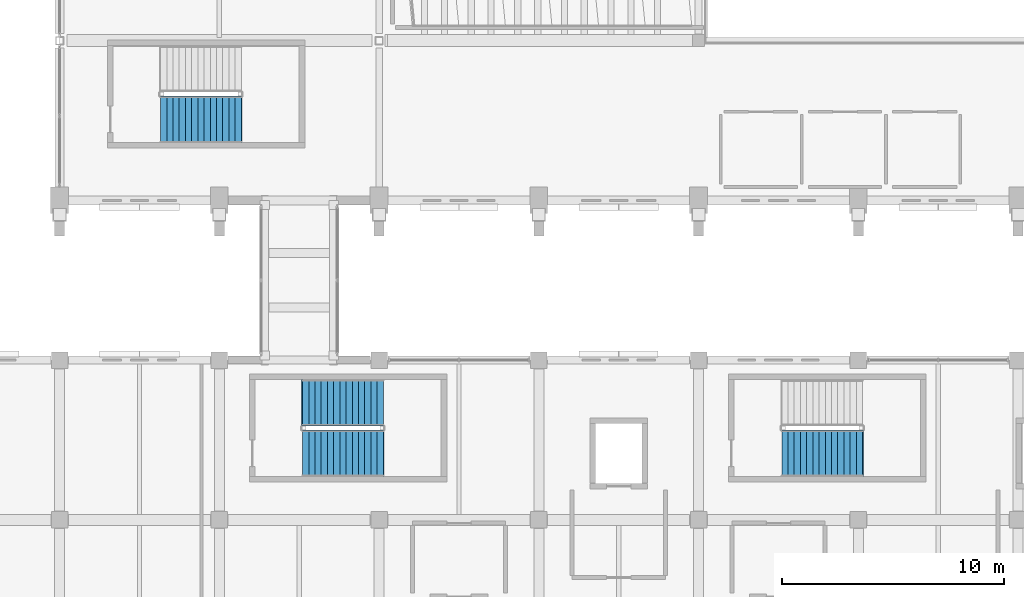
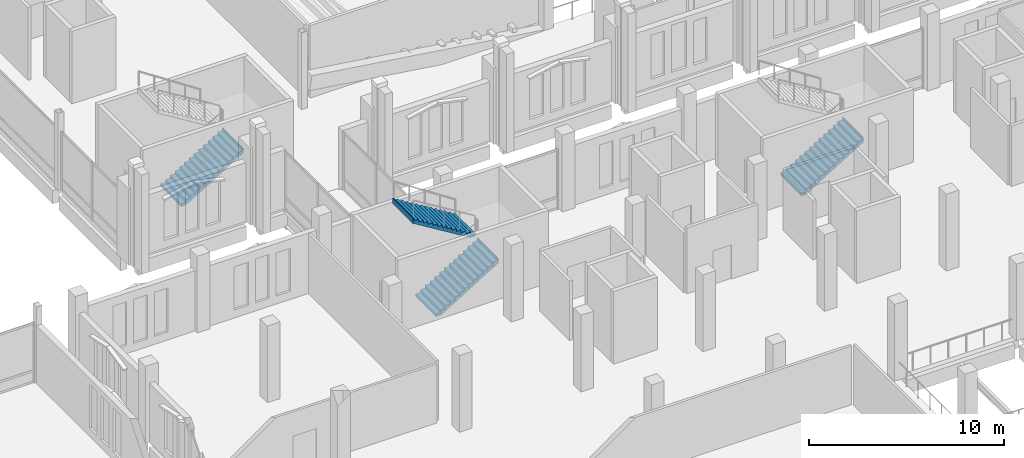
# One storey, part 166 of 193: 4 stair flights, 3 elements without a shape of their own.
"""IFC4 building model written with IfcOpenShell, lengths in metres."""

import ifcopenshell
import ifcopenshell.guid

model = None  # the IFC model being written
_history = None  # IfcOwnerHistory: only IFC2X3 demands one
_inside = {}  # id of a spatial element -> (the spatial element, [elements in it])
_under = {}  # id of a project, library or spatial element -> (it, [spatial elements below it])
_declared = {}  # id of a project -> (the project, [libraries it declares])
_typed = {}  # id of a type object -> (the type object, [elements of that type])
_made_of = {}  # id of a material, layer set ... -> (it, [elements and type objects made of it])


def new_model(schema):
    """Start an empty IFC model of exactly this schema.

    Asked for "IFC4X3", IfcOpenShell would pick the latest addendum, in which some entities
    have other attributes; the version numbers below select the first issue.
    IFC2X3 requires an IfcOwnerHistory on every rooted entity: one is made here for all.
    """
    global model, _history
    if schema == "IFC4X3":
        model = ifcopenshell.file(schema_version=(4, 3, 0, 0))
    else:
        model = ifcopenshell.file(schema=schema)
    _inside.clear()
    _under.clear()
    _declared.clear()
    _typed.clear()
    _made_of.clear()
    _history = None
    if model.schema == "IFC2X3":
        org = make("IfcOrganization", Name="unknown")
        user = make(
            "IfcPersonAndOrganization",
            ThePerson=make("IfcPerson", FamilyName="unknown"),
            TheOrganization=org,
        )
        app = make(
            "IfcApplication",
            ApplicationDeveloper=org,
            Version="unknown",
            ApplicationFullName="unknown",
            ApplicationIdentifier="unknown",
        )
        _history = make(
            "IfcOwnerHistory",
            OwningUser=user,
            OwningApplication=app,
            ChangeAction="ADDED",
            CreationDate=0,
        )
    return model


def make(cls, **values):
    """One entity of the class cls with the attributes given. An attribute that is None is left unset."""
    return model.create_entity(
        cls, **{name: value for name, value in values.items() if value is not None}
    )


def rooted(cls, **values):
    """An entity with a GlobalId (a new one), such as an element, a storey or a relation."""
    return make(cls, GlobalId=ifcopenshell.guid.new(), OwnerHistory=_history, **values)


def si_unit(unit_type, name, prefix=None):
    """IfcSIUnit, for example si_unit("LENGTHUNIT", "METRE", prefix="MILLI")."""
    return make("IfcSIUnit", UnitType=unit_type, Prefix=prefix, Name=name)


def assignment(units):
    """IfcUnitAssignment: the units of a project."""
    return None if units is None else make("IfcUnitAssignment", Units=units)


def point(xyz):
    """IfcCartesianPoint."""
    return None if xyz is None else make("IfcCartesianPoint", Coordinates=xyz)


def direction(xyz):
    """IfcDirection."""
    return None if xyz is None else make("IfcDirection", DirectionRatios=xyz)


def frame(location, z_axis=None, x_axis=None):
    """IfcAxis2Placement3D, a coordinate frame: its origin and axes. An axis left out is left unset."""
    return make(
        "IfcAxis2Placement3D",
        Location=point(location),
        Axis=direction(z_axis),
        RefDirection=direction(x_axis),
    )


def origin():
    """The frame at (0, 0, 0) with its axes left unset."""
    return frame((0.0, 0.0, 0.0))


def place(relative_to, where):
    """IfcLocalPlacement: puts the frame where relative to a parent placement (None: the world)."""
    return make(
        "IfcLocalPlacement", PlacementRelTo=relative_to, RelativePlacement=where
    )


def context(
    kind, dimensions, precision=None, world=None, true_north=None, identifier=None
):
    """IfcGeometricRepresentationContext, for example the 3D "Model" context."""
    return make(
        "IfcGeometricRepresentationContext",
        ContextIdentifier=identifier,
        ContextType=kind,
        CoordinateSpaceDimension=dimensions,
        Precision=precision,
        WorldCoordinateSystem=world,
        TrueNorth=true_north,
    )


def subcontext(parent, identifier, kind, view, scale=None):
    """IfcGeometricRepresentationSubContext, for example "Body" below "Model"."""
    return make(
        "IfcGeometricRepresentationSubContext",
        ContextIdentifier=identifier,
        ContextType=kind,
        ParentContext=parent,
        TargetScale=scale,
        TargetView=view,
    )


def project(units=None, contexts=None):
    """IfcProject with its units and contexts."""
    return rooted(
        "IfcProject",
        Name="project",
        RepresentationContexts=contexts,
        UnitsInContext=assignment(units),
    )


def spatial(cls, under=None, at=None, **own):
    """A site, building, storey or space (cls), placed at a placement, below another one or the project."""
    s = rooted(cls, ObjectPlacement=at, **own)
    if under is not None:
        _under.setdefault(under.id(), (under, []))[1].append(s)
    return s


def point_list(points):
    """IfcCartesianPointList2D or 3D."""
    cls = (
        "IfcCartesianPointList2D" if len(points[0]) == 2 else "IfcCartesianPointList3D"
    )
    return make(cls, CoordList=points)


def triangles(points, corners, closed=None, point_numbers=None):
    """IfcTriangulatedFaceSet: each triangle names its three corners, points numbered from 1."""
    return make(
        "IfcTriangulatedFaceSet",
        Coordinates=point_list(points),
        Closed=closed,
        CoordIndex=corners,
        PnIndex=point_numbers,
    )


def shape(context_of_items, identifier, shape_type, items):
    """IfcShapeRepresentation: the items that make up one representation, for example the "Body"."""
    return make(
        "IfcShapeRepresentation",
        ContextOfItems=context_of_items,
        RepresentationIdentifier=identifier,
        RepresentationType=shape_type,
        Items=items,
    )


def material(Name=None, Category=None):
    """IfcMaterial."""
    return make("IfcMaterial", Name=Name, Category=Category)


def made_of(thing, what):
    """Note that an element or type object is made of a material, layer set ...; save() writes the relation."""
    if what is not None:
        _made_of.setdefault(what.id(), (what, []))[1].append(thing)
    return thing


def type_object(cls, material=None, **own):
    """A type object (cls), such as IfcWallType, which elements share."""
    return made_of(rooted(cls, **own), material)


def element(
    cls,
    number,
    at=None,
    inside=None,
    cuts=None,
    type_object=None,
    material=None,
    context=None,
    identifier="Body",
    shape_type=None,
    held_by="IfcProductDefinitionShape",
    body=None,
    shapes=None,
    **own,
):
    """One element of the class cls, such as IfcWall. Its Tag is "e" and its number.

    at: its placement. inside: the storey or other place that contains it. cuts: it is an
    opening in that element (IfcRelVoidsElement). A single representation is given by context,
    identifier, shape_type and body (its items); several are given by shapes. held_by: the class
    of the entity that holds the representations. save() writes the other relations.
    """
    e = rooted(cls, Tag="e%d" % number, ObjectPlacement=at, **own)
    if body is not None:
        shapes = [shape(context, identifier, shape_type, body)]
    if shapes is not None:
        e.Representation = make(held_by, Representations=shapes)
    if inside is not None:
        _inside.setdefault(inside.id(), (inside, []))[1].append(e)
    if cuts is not None:
        rooted(
            "IfcRelVoidsElement", RelatingBuildingElement=cuts, RelatedOpeningElement=e
        )
    if type_object is not None:
        _typed.setdefault(type_object.id(), (type_object, []))[1].append(e)
    return made_of(e, material)


def aggregate(whole, parts):
    """IfcRelAggregates: a whole, such as a stair, and the parts it consists of."""
    return rooted("IfcRelAggregates", RelatingObject=whole, RelatedObjects=parts)


def save(model, path):
    """Write the relations noted so far, then the file.

    IfcRelAggregates (storeys below a building ...), IfcRelContainedInSpatialStructure (elements
    in a storey), IfcRelDefinesByType, IfcRelAssociatesMaterial and IfcRelDeclares: one each for
    every whole, place, type object, material and project.
    """
    for whole, parts in _under.values():
        aggregate(whole, parts)
    for where, things in _inside.values():
        rooted(
            "IfcRelContainedInSpatialStructure",
            RelatedElements=things,
            RelatingStructure=where,
        )
    for kind, things in _typed.values():
        rooted("IfcRelDefinesByType", RelatedObjects=things, RelatingType=kind)
    for what, things in _made_of.values():
        rooted("IfcRelAssociatesMaterial", RelatedObjects=things, RelatingMaterial=what)
    for by, libraries in _declared.values():
        rooted("IfcRelDeclares", RelatingContext=by, RelatedDefinitions=libraries)
    model.write(path)


model = new_model("IFC4")

# Units and contexts
model_context = context("Model", 3, precision=1e-05, world=origin(), true_north=direction((0.0, 1.0)))
body_context = subcontext(model_context, "Body", "Model", "MODEL_VIEW")
ifc_project = project(units=[si_unit("LENGTHUNIT", "METRE"), si_unit("AREAUNIT", "SQUARE_METRE"), si_unit("VOLUMEUNIT", "CUBIC_METRE"), si_unit("PLANEANGLEUNIT", "RADIAN"), si_unit("MASSUNIT", "GRAM", prefix="KILO")], contexts=[model_context])

# Site, building, storey
site_placement = place(None, origin())
site = spatial("IfcSite", under=ifc_project, at=site_placement, CompositionType="ELEMENT")
building_placement = place(site_placement, origin())
building = spatial("IfcBuilding", under=site, at=building_placement, Name="Cendralis Lancet Convention Centre", CompositionType="ELEMENT")
storey_placement = place(building_placement, frame((0.0, 0.0, 10.199951171875)))
storey = spatial("IfcBuildingStorey", under=building, at=storey_placement, Name="L02", CompositionType="ELEMENT", Elevation=10.199951171875)

# Stair, stair flight
ifc_material = material(Name="Concrete G35 (C35/45)", Category="concrete")
stair_type = type_object("IfcStairType", Name="ARC-ST-CORE", PredefinedType="HALF_TURN_STAIR", material=ifc_material)
stair_1_placement = place(storey_placement, origin())
stair_1 = element("IfcStair", 1, at=stair_1_placement, inside=storey, type_object=stair_type, Name="L02 Protected Exit Stair ST-08", PredefinedType="HALF_TURN_STAIR")
stair_flight_type = type_object("IfcStairFlightType", Name="ARC-SF-CORE", PredefinedType="STRAIGHT", material=ifc_material)
stair_flight_1_placement = place(storey_placement, frame((143.75, 46.85009765625, 0.0), z_axis=(0.0, 0.0, 1.0), x_axis=(1.0, 0.0, 0.0)))
stair_flight_1 = element("IfcStairFlight", 2, at=stair_flight_1_placement, type_object=stair_flight_type, Name="ST-08 flight 1", NumberOfRisers=14, NumberOfTreads=13, PredefinedType="STRAIGHT", RiserHeight=0.171428571, TreadLength=0.28, context=body_context, shape_type="Tessellation", body=[
    triangles([(0.0, 0.0, 0.085714), (0.0, 1.050049, 0.0), (0.0, -1.050049, 0.0), (0.0, -1.050049, 0.171429), (0.0, 1.050049, 0.171429), (0.14, 0.0, 0.171429), (0.28, -1.050049, 0.171429), (0.28, 1.050049, 0.171429), (0.14, 0.0, 0.0), (0.28, -1.050049, 0.0), (0.28, 1.050049, 0.0), (0.28, 0.0, 0.257143), (0.28, -1.050049, 0.342857), (0.28, 1.050049, 0.342857), (0.283543, 0.0, 0.342857), (0.287085, -1.050049, 0.342857), (0.287085, 1.050049, 0.342857), (0.283543, 0.0, 0.0), (0.287085, -1.050049, 0.0), (0.287085, 1.050049, 0.0), (0.423543, 0.0, 0.342857), (0.56, -1.050049, 0.342857), (0.56, 1.050049, 0.342857), (0.423543, 0.0, 0.083545), (0.56, -1.050049, 0.167091), (0.56, 1.050049, 0.167091), (0.56, 0.0, 0.428572), (0.56, -1.050049, 0.514286), (0.56, 1.050049, 0.514286), (0.7, 0.0, 0.514286), (0.84, -1.050049, 0.514286), (0.84, 1.050049, 0.514286), (0.7, 0.0, 0.252806), (0.84, -1.050049, 0.33852), (0.84, 1.050049, 0.33852), (0.84, 0.0, 0.6), (0.84, -1.050049, 0.685714), (0.84, 1.050049, 0.685714), (0.98, 0.0, 0.685714), (1.12, -1.050049, 0.685714), (1.12, 1.050049, 0.685714), (0.98, 0.0, 0.424234), (1.12, -1.050049, 0.509948), (1.12, 1.050049, 0.509948), (1.12, 0.0, 0.771429), (1.12, -1.050049, 0.857143), (1.12, 1.050049, 0.857143), (1.26, 0.0, 0.857143), (1.4, -1.050049, 0.857143), (1.4, 1.050049, 0.857143), (1.26, 0.0, 0.595662), (1.4, -1.050049, 0.681377), (1.4, 1.050049, 0.681377), (1.4, 0.0, 0.942857), (1.4, -1.050049, 1.028571), (1.4, 1.050049, 1.028571), (1.54, 0.0, 1.028571), (1.68, -1.050049, 1.028571), (1.68, 1.050049, 1.028571), (1.54, 0.0, 0.767091), (1.68, -1.050049, 0.852805), (1.68, 1.050049, 0.852805), (1.68, 0.0, 1.114286), (1.68, -1.050049, 1.2), (1.68, 1.050049, 1.2), (1.82, 0.0, 1.2), (1.96, -1.050049, 1.2), (1.96, 1.050049, 1.2), (1.82, 0.0, 0.938519), (1.96, -1.050049, 1.024234), (1.96, 1.050049, 1.024234), (1.96, 0.0, 1.285715), (1.96, -1.050049, 1.371429), (1.96, 1.050049, 1.371429), (2.1, 0.0, 1.371429), (2.24, -1.050049, 1.371429), (2.24, 1.050049, 1.371429), (2.1, 0.0, 1.109948), (2.24, -1.050049, 1.195662), (2.24, 1.050049, 1.195662), (2.24, 0.0, 1.457143), (2.24, -1.050049, 1.542857), (2.24, 1.050049, 1.542857), (2.38, 0.0, 1.542857), (2.52, -1.050049, 1.542857), (2.52, 1.050049, 1.542857), (2.38, 0.0, 1.281376), (2.52, -1.050049, 1.367091), (2.52, 1.050049, 1.367091), (2.52, 0.0, 1.628572), (2.52, -1.050049, 1.714286), (2.52, 1.050049, 1.714286), (2.66, 0.0, 1.714286), (2.8, -1.050049, 1.714286), (2.8, 1.050049, 1.714286), (2.66, 0.0, 1.452806), (2.8, -1.050049, 1.53852), (2.8, 1.050049, 1.53852), (2.8, 0.0, 1.8), (2.8, -1.050049, 1.885714), (2.8, 1.050049, 1.885714), (2.94, 0.0, 1.885714), (3.08, -1.050049, 1.885714), (3.08, 1.050049, 1.885714), (2.94, 0.0, 1.624234), (3.08, -1.050049, 1.709948), (3.08, 1.050049, 1.709948), (3.08, 0.0, 1.971429), (3.08, -1.050049, 2.057143), (3.08, 1.050049, 2.057143), (3.22, 0.0, 2.057143), (3.36, -1.050049, 2.057143), (3.36, 1.050049, 2.057143), (3.22, 0.0, 1.795663), (3.36, -1.050049, 1.881377), (3.36, 1.050049, 1.881377), (3.36, 0.0, 2.142857), (3.36, -1.050049, 2.228571), (3.36, 1.050049, 2.228571), (3.5, 0.0, 2.228571), (3.64, -1.050049, 2.228571), (3.64, 1.050049, 2.228571), (3.5, 0.0, 1.967091), (3.64, -1.050049, 2.052805), (3.64, 1.050049, 2.052805), (3.64, 0.0, 2.314285), (3.64, -1.050049, 2.4), (3.64, 1.050049, 2.4), (3.66, 0.0, 2.4), (3.68, -1.050049, 2.4), (3.68, 1.050049, 2.4), (3.66, 0.0, 2.052805), (3.68, -1.050049, 2.052805), (3.68, 1.050049, 2.052805), (3.68, 0.0, 2.226403)], [[2, 3, 1], [3, 4, 1], [4, 5, 1], [5, 2, 1], [4, 7, 6], [7, 8, 6], [8, 5, 6], [5, 4, 6], [10, 3, 9], [3, 2, 9], [2, 11, 9], [11, 10, 9], [3, 10, 7], [3, 7, 4], [2, 8, 11], [2, 5, 8], [8, 7, 12], [7, 13, 12], [13, 14, 12], [14, 8, 12], [13, 16, 15], [16, 17, 15], [17, 14, 15], [14, 13, 15], [19, 10, 18], [10, 11, 18], [11, 20, 18], [20, 19, 18], [10, 19, 16], [10, 16, 7], [7, 16, 13], [11, 17, 20], [11, 8, 17], [8, 14, 17], [16, 22, 21], [22, 23, 21], [23, 17, 21], [17, 16, 21], [25, 19, 24], [19, 20, 24], [20, 26, 24], [26, 25, 24], [19, 25, 22], [19, 22, 16], [20, 23, 26], [20, 17, 23], [23, 22, 27], [22, 28, 27], [28, 29, 27], [29, 23, 27], [28, 31, 30], [31, 32, 30], [32, 29, 30], [29, 28, 30], [34, 25, 33], [25, 26, 33], [26, 35, 33], [35, 34, 33], [25, 34, 31], [25, 31, 22], [22, 31, 28], [26, 32, 35], [26, 23, 32], [23, 29, 32], [32, 31, 36], [31, 37, 36], [37, 38, 36], [38, 32, 36], [37, 40, 39], [40, 41, 39], [41, 38, 39], [38, 37, 39], [43, 34, 42], [34, 35, 42], [35, 44, 42], [44, 43, 42], [34, 43, 40], [34, 40, 31], [31, 40, 37], [35, 41, 44], [35, 32, 41], [32, 38, 41], [41, 40, 45], [40, 46, 45], [46, 47, 45], [47, 41, 45], [46, 49, 48], [49, 50, 48], [50, 47, 48], [47, 46, 48], [52, 43, 51], [43, 44, 51], [44, 53, 51], [53, 52, 51], [43, 52, 49], [43, 49, 40], [40, 49, 46], [44, 50, 53], [44, 41, 50], [41, 47, 50], [50, 49, 54], [49, 55, 54], [55, 56, 54], [56, 50, 54], [55, 58, 57], [58, 59, 57], [59, 56, 57], [56, 55, 57], [61, 52, 60], [52, 53, 60], [53, 62, 60], [62, 61, 60], [52, 61, 58], [52, 58, 49], [49, 58, 55], [53, 59, 62], [53, 50, 59], [50, 56, 59], [59, 58, 63], [58, 64, 63], [64, 65, 63], [65, 59, 63], [64, 67, 66], [67, 68, 66], [68, 65, 66], [65, 64, 66], [70, 61, 69], [61, 62, 69], [62, 71, 69], [71, 70, 69], [61, 70, 67], [61, 67, 58], [58, 67, 64], [62, 68, 71], [62, 59, 68], [59, 65, 68], [68, 67, 72], [67, 73, 72], [73, 74, 72], [74, 68, 72], [73, 76, 75], [76, 77, 75], [77, 74, 75], [74, 73, 75], [79, 70, 78], [70, 71, 78], [71, 80, 78], [80, 79, 78], [70, 79, 76], [70, 76, 67], [67, 76, 73], [71, 77, 80], [71, 68, 77], [68, 74, 77], [77, 76, 81], [76, 82, 81], [82, 83, 81], [83, 77, 81], [82, 85, 84], [85, 86, 84], [86, 83, 84], [83, 82, 84], [88, 79, 87], [79, 80, 87], [80, 89, 87], [89, 88, 87], [79, 88, 85], [79, 85, 76], [76, 85, 82], [80, 86, 89], [80, 77, 86], [77, 83, 86], [86, 85, 90], [85, 91, 90], [91, 92, 90], [92, 86, 90], [91, 94, 93], [94, 95, 93], [95, 92, 93], [92, 91, 93], [97, 88, 96], [88, 89, 96], [89, 98, 96], [98, 97, 96], [88, 97, 94], [88, 94, 85], [85, 94, 91], [89, 95, 98], [89, 86, 95], [86, 92, 95], [95, 94, 99], [94, 100, 99], [100, 101, 99], [101, 95, 99], [100, 103, 102], [103, 104, 102], [104, 101, 102], [101, 100, 102], [106, 97, 105], [97, 98, 105], [98, 107, 105], [107, 106, 105], [97, 106, 103], [97, 103, 94], [94, 103, 100], [98, 104, 107], [98, 95, 104], [95, 101, 104], [104, 103, 108], [103, 109, 108], [109, 110, 108], [110, 104, 108], [109, 112, 111], [112, 113, 111], [113, 110, 111], [110, 109, 111], [115, 106, 114], [106, 107, 114], [107, 116, 114], [116, 115, 114], [106, 115, 112], [106, 112, 103], [103, 112, 109], [107, 113, 116], [107, 104, 113], [104, 110, 113], [113, 112, 117], [112, 118, 117], [118, 119, 117], [119, 113, 117], [118, 121, 120], [121, 122, 120], [122, 119, 120], [119, 118, 120], [124, 115, 123], [115, 116, 123], [116, 125, 123], [125, 124, 123], [115, 124, 121], [115, 121, 112], [112, 121, 118], [116, 122, 125], [116, 113, 122], [113, 119, 122], [122, 121, 126], [121, 127, 126], [127, 128, 126], [128, 122, 126], [127, 130, 129], [130, 131, 129], [131, 128, 129], [128, 127, 129], [133, 124, 132], [124, 125, 132], [125, 134, 132], [134, 133, 132], [124, 133, 130], [124, 130, 121], [121, 130, 127], [125, 131, 134], [125, 122, 131], [122, 128, 131], [133, 134, 135], [134, 131, 135], [131, 130, 135], [130, 133, 135]], closed=True),
])
aggregate(stair_1, [stair_flight_1])

# Stair, stair flights
stair_2_placement = place(storey_placement, origin())
stair_2 = element("IfcStair", 3, at=stair_2_placement, inside=storey, type_object=stair_type, Name="L02 Protected Exit Stair ST-13", PredefinedType="HALF_TURN_STAIR")
stair_flight_2_placement = place(storey_placement, frame((150.14990234375, 31.800048828125, 0.0), z_axis=(0.0, 0.0, 1.0), x_axis=(1.0, 0.0, 0.0)))
stair_flight_2 = element("IfcStairFlight", 4, at=stair_flight_2_placement, type_object=stair_flight_type, Name="ST-13 flight 1", NumberOfRisers=14, NumberOfTreads=13, PredefinedType="STRAIGHT", RiserHeight=0.171428571, TreadLength=0.28, context=body_context, shape_type="Tessellation", body=[
    triangles([(0.0, 0.0, 0.085714), (0.0, 1.050049, 0.0), (0.0, -1.050049, 0.0), (0.0, -1.050049, 0.171429), (0.0, 1.050049, 0.171429), (0.14, 0.0, 0.171429), (0.28, -1.050049, 0.171429), (0.28, 1.050049, 0.171429), (0.14, 0.0, 0.0), (0.28, -1.050049, 0.0), (0.28, 1.050049, 0.0), (0.28, 0.0, 0.257143), (0.28, -1.050049, 0.342857), (0.28, 1.050049, 0.342857), (0.283543, 0.0, 0.342857), (0.287085, -1.050049, 0.342857), (0.287085, 1.050049, 0.342857), (0.283543, 0.0, 0.0), (0.287085, -1.050049, 0.0), (0.287085, 1.050049, 0.0), (0.423543, 0.0, 0.342857), (0.56, -1.050049, 0.342857), (0.56, 1.050049, 0.342857), (0.423543, 0.0, 0.083545), (0.56, -1.050049, 0.167091), (0.56, 1.050049, 0.167091), (0.56, 0.0, 0.428572), (0.56, -1.050049, 0.514286), (0.56, 1.050049, 0.514286), (0.7, 0.0, 0.514286), (0.84, -1.050049, 0.514286), (0.84, 1.050049, 0.514286), (0.7, 0.0, 0.252806), (0.84, -1.050049, 0.33852), (0.84, 1.050049, 0.33852), (0.84, 0.0, 0.6), (0.84, -1.050049, 0.685714), (0.84, 1.050049, 0.685714), (0.98, 0.0, 0.685714), (1.12, -1.050049, 0.685714), (1.12, 1.050049, 0.685714), (0.98, 0.0, 0.424234), (1.12, -1.050049, 0.509948), (1.12, 1.050049, 0.509948), (1.12, 0.0, 0.771429), (1.12, -1.050049, 0.857143), (1.12, 1.050049, 0.857143), (1.26, 0.0, 0.857143), (1.4, -1.050049, 0.857143), (1.4, 1.050049, 0.857143), (1.26, 0.0, 0.595662), (1.4, -1.050049, 0.681377), (1.4, 1.050049, 0.681377), (1.4, 0.0, 0.942857), (1.4, -1.050049, 1.028571), (1.4, 1.050049, 1.028571), (1.54, 0.0, 1.028571), (1.68, -1.050049, 1.028571), (1.68, 1.050049, 1.028571), (1.54, 0.0, 0.767091), (1.68, -1.050049, 0.852805), (1.68, 1.050049, 0.852805), (1.68, 0.0, 1.114286), (1.68, -1.050049, 1.2), (1.68, 1.050049, 1.2), (1.82, 0.0, 1.2), (1.96, -1.050049, 1.2), (1.96, 1.050049, 1.2), (1.82, 0.0, 0.938519), (1.96, -1.050049, 1.024234), (1.96, 1.050049, 1.024234), (1.96, 0.0, 1.285715), (1.96, -1.050049, 1.371429), (1.96, 1.050049, 1.371429), (2.1, 0.0, 1.371429), (2.24, -1.050049, 1.371429), (2.24, 1.050049, 1.371429), (2.1, 0.0, 1.109948), (2.24, -1.050049, 1.195662), (2.24, 1.050049, 1.195662), (2.24, 0.0, 1.457143), (2.24, -1.050049, 1.542857), (2.24, 1.050049, 1.542857), (2.38, 0.0, 1.542857), (2.52, -1.050049, 1.542857), (2.52, 1.050049, 1.542857), (2.38, 0.0, 1.281376), (2.52, -1.050049, 1.367091), (2.52, 1.050049, 1.367091), (2.52, 0.0, 1.628572), (2.52, -1.050049, 1.714286), (2.52, 1.050049, 1.714286), (2.66, 0.0, 1.714286), (2.8, -1.050049, 1.714286), (2.8, 1.050049, 1.714286), (2.66, 0.0, 1.452806), (2.8, -1.050049, 1.53852), (2.8, 1.050049, 1.53852), (2.8, 0.0, 1.8), (2.8, -1.050049, 1.885714), (2.8, 1.050049, 1.885714), (2.94, 0.0, 1.885714), (3.08, -1.050049, 1.885714), (3.08, 1.050049, 1.885714), (2.94, 0.0, 1.624234), (3.08, -1.050049, 1.709948), (3.08, 1.050049, 1.709948), (3.08, 0.0, 1.971429), (3.08, -1.050049, 2.057143), (3.08, 1.050049, 2.057143), (3.22, 0.0, 2.057143), (3.36, -1.050049, 2.057143), (3.36, 1.050049, 2.057143), (3.22, 0.0, 1.795663), (3.36, -1.050049, 1.881377), (3.36, 1.050049, 1.881377), (3.36, 0.0, 2.142857), (3.36, -1.050049, 2.228571), (3.36, 1.050049, 2.228571), (3.5, 0.0, 2.228571), (3.64, -1.050049, 2.228571), (3.64, 1.050049, 2.228571), (3.5, 0.0, 1.967091), (3.64, -1.050049, 2.052805), (3.64, 1.050049, 2.052805), (3.64, 0.0, 2.314285), (3.64, -1.050049, 2.4), (3.64, 1.050049, 2.4), (3.66, 0.0, 2.4), (3.68, -1.050049, 2.4), (3.68, 1.050049, 2.4), (3.66, 0.0, 2.052805), (3.68, -1.050049, 2.052805), (3.68, 1.050049, 2.052805), (3.68, 0.0, 2.226403)], [[2, 3, 1], [3, 4, 1], [4, 5, 1], [5, 2, 1], [4, 7, 6], [7, 8, 6], [8, 5, 6], [5, 4, 6], [10, 3, 9], [3, 2, 9], [2, 11, 9], [11, 10, 9], [3, 10, 7], [3, 7, 4], [2, 8, 11], [2, 5, 8], [8, 7, 12], [7, 13, 12], [13, 14, 12], [14, 8, 12], [13, 16, 15], [16, 17, 15], [17, 14, 15], [14, 13, 15], [19, 10, 18], [10, 11, 18], [11, 20, 18], [20, 19, 18], [10, 19, 16], [10, 16, 7], [7, 16, 13], [11, 17, 20], [11, 8, 17], [8, 14, 17], [16, 22, 21], [22, 23, 21], [23, 17, 21], [17, 16, 21], [25, 19, 24], [19, 20, 24], [20, 26, 24], [26, 25, 24], [19, 25, 22], [19, 22, 16], [20, 23, 26], [20, 17, 23], [23, 22, 27], [22, 28, 27], [28, 29, 27], [29, 23, 27], [28, 31, 30], [31, 32, 30], [32, 29, 30], [29, 28, 30], [34, 25, 33], [25, 26, 33], [26, 35, 33], [35, 34, 33], [25, 34, 31], [25, 31, 22], [22, 31, 28], [26, 32, 35], [26, 23, 32], [23, 29, 32], [32, 31, 36], [31, 37, 36], [37, 38, 36], [38, 32, 36], [37, 40, 39], [40, 41, 39], [41, 38, 39], [38, 37, 39], [43, 34, 42], [34, 35, 42], [35, 44, 42], [44, 43, 42], [34, 43, 40], [34, 40, 31], [31, 40, 37], [35, 41, 44], [35, 32, 41], [32, 38, 41], [41, 40, 45], [40, 46, 45], [46, 47, 45], [47, 41, 45], [46, 49, 48], [49, 50, 48], [50, 47, 48], [47, 46, 48], [52, 43, 51], [43, 44, 51], [44, 53, 51], [53, 52, 51], [43, 52, 49], [43, 49, 40], [40, 49, 46], [44, 50, 53], [44, 41, 50], [41, 47, 50], [50, 49, 54], [49, 55, 54], [55, 56, 54], [56, 50, 54], [55, 58, 57], [58, 59, 57], [59, 56, 57], [56, 55, 57], [61, 52, 60], [52, 53, 60], [53, 62, 60], [62, 61, 60], [52, 61, 58], [52, 58, 49], [49, 58, 55], [53, 59, 62], [53, 50, 59], [50, 56, 59], [59, 58, 63], [58, 64, 63], [64, 65, 63], [65, 59, 63], [64, 67, 66], [67, 68, 66], [68, 65, 66], [65, 64, 66], [70, 61, 69], [61, 62, 69], [62, 71, 69], [71, 70, 69], [61, 70, 67], [61, 67, 58], [58, 67, 64], [62, 68, 71], [62, 59, 68], [59, 65, 68], [68, 67, 72], [67, 73, 72], [73, 74, 72], [74, 68, 72], [73, 76, 75], [76, 77, 75], [77, 74, 75], [74, 73, 75], [79, 70, 78], [70, 71, 78], [71, 80, 78], [80, 79, 78], [70, 79, 76], [70, 76, 67], [67, 76, 73], [71, 77, 80], [71, 68, 77], [68, 74, 77], [77, 76, 81], [76, 82, 81], [82, 83, 81], [83, 77, 81], [82, 85, 84], [85, 86, 84], [86, 83, 84], [83, 82, 84], [88, 79, 87], [79, 80, 87], [80, 89, 87], [89, 88, 87], [79, 88, 85], [79, 85, 76], [76, 85, 82], [80, 86, 89], [80, 77, 86], [77, 83, 86], [86, 85, 90], [85, 91, 90], [91, 92, 90], [92, 86, 90], [91, 94, 93], [94, 95, 93], [95, 92, 93], [92, 91, 93], [97, 88, 96], [88, 89, 96], [89, 98, 96], [98, 97, 96], [88, 97, 94], [88, 94, 85], [85, 94, 91], [89, 95, 98], [89, 86, 95], [86, 92, 95], [95, 94, 99], [94, 100, 99], [100, 101, 99], [101, 95, 99], [100, 103, 102], [103, 104, 102], [104, 101, 102], [101, 100, 102], [106, 97, 105], [97, 98, 105], [98, 107, 105], [107, 106, 105], [97, 106, 103], [97, 103, 94], [94, 103, 100], [98, 104, 107], [98, 95, 104], [95, 101, 104], [104, 103, 108], [103, 109, 108], [109, 110, 108], [110, 104, 108], [109, 112, 111], [112, 113, 111], [113, 110, 111], [110, 109, 111], [115, 106, 114], [106, 107, 114], [107, 116, 114], [116, 115, 114], [106, 115, 112], [106, 112, 103], [103, 112, 109], [107, 113, 116], [107, 104, 113], [104, 110, 113], [113, 112, 117], [112, 118, 117], [118, 119, 117], [119, 113, 117], [118, 121, 120], [121, 122, 120], [122, 119, 120], [119, 118, 120], [124, 115, 123], [115, 116, 123], [116, 125, 123], [125, 124, 123], [115, 124, 121], [115, 121, 112], [112, 121, 118], [116, 122, 125], [116, 113, 122], [113, 119, 122], [122, 121, 126], [121, 127, 126], [127, 128, 126], [128, 122, 126], [127, 130, 129], [130, 131, 129], [131, 128, 129], [128, 127, 129], [133, 124, 132], [124, 125, 132], [125, 134, 132], [134, 133, 132], [124, 133, 130], [124, 130, 121], [121, 130, 127], [125, 131, 134], [125, 122, 131], [122, 128, 131], [133, 134, 135], [134, 131, 135], [131, 130, 135], [130, 133, 135]], closed=True),
])
stair_flight_3_placement = place(storey_placement, frame((153.7900390625, 34.080078125, 2.400146484375), z_axis=(0.0, 0.0, 1.0), x_axis=(-1.0, 0.0, 0.0)))
stair_flight_3 = element("IfcStairFlight", 5, at=stair_flight_3_placement, type_object=stair_flight_type, Name="ST-13 flight 2", NumberOfRisers=14, NumberOfTreads=13, PredefinedType="STRAIGHT", RiserHeight=0.171428571, TreadLength=0.28, context=body_context, shape_type="Tessellation", body=[
    triangles([(0.0, 0.0, 0.085714), (0.0, 1.050049, 0.0), (0.0, -1.050049, 0.0), (0.0, -1.050049, 0.171429), (0.0, 1.050049, 0.171429), (0.14, 0.0, 0.171429), (0.28, -1.050049, 0.171429), (0.28, 1.050049, 0.171429), (0.14, 0.0, 0.0), (0.28, -1.050049, 0.0), (0.28, 1.050049, 0.0), (0.28, 0.0, 0.257143), (0.28, -1.050049, 0.342857), (0.28, 1.050049, 0.342857), (0.283543, 0.0, 0.342857), (0.287085, -1.050049, 0.342857), (0.287085, 1.050049, 0.342857), (0.283543, 0.0, 0.0), (0.287085, -1.050049, 0.0), (0.287085, 1.050049, 0.0), (0.423543, 0.0, 0.342857), (0.56, -1.050049, 0.342857), (0.56, 1.050049, 0.342857), (0.423543, 0.0, 0.083545), (0.56, -1.050049, 0.167091), (0.56, 1.050049, 0.167091), (0.56, 0.0, 0.428572), (0.56, -1.050049, 0.514286), (0.56, 1.050049, 0.514286), (0.7, 0.0, 0.514286), (0.84, -1.050049, 0.514286), (0.84, 1.050049, 0.514286), (0.7, 0.0, 0.252806), (0.84, -1.050049, 0.33852), (0.84, 1.050049, 0.33852), (0.84, 0.0, 0.6), (0.84, -1.050049, 0.685714), (0.84, 1.050049, 0.685714), (0.98, 0.0, 0.685714), (1.12, -1.050049, 0.685714), (1.12, 1.050049, 0.685714), (0.98, 0.0, 0.424234), (1.12, -1.050049, 0.509948), (1.12, 1.050049, 0.509948), (1.12, 0.0, 0.771429), (1.12, -1.050049, 0.857143), (1.12, 1.050049, 0.857143), (1.26, 0.0, 0.857143), (1.4, -1.050049, 0.857143), (1.4, 1.050049, 0.857143), (1.26, 0.0, 0.595662), (1.4, -1.050049, 0.681377), (1.4, 1.050049, 0.681377), (1.4, 0.0, 0.942857), (1.4, -1.050049, 1.028571), (1.4, 1.050049, 1.028571), (1.54, 0.0, 1.028571), (1.68, -1.050049, 1.028571), (1.68, 1.050049, 1.028571), (1.54, 0.0, 0.767091), (1.68, -1.050049, 0.852805), (1.68, 1.050049, 0.852805), (1.68, 0.0, 1.114286), (1.68, -1.050049, 1.2), (1.68, 1.050049, 1.2), (1.82, 0.0, 1.2), (1.96, -1.050049, 1.2), (1.96, 1.050049, 1.2), (1.82, 0.0, 0.938519), (1.96, -1.050049, 1.024234), (1.96, 1.050049, 1.024234), (1.96, 0.0, 1.285715), (1.96, -1.050049, 1.371429), (1.96, 1.050049, 1.371429), (2.1, 0.0, 1.371429), (2.24, -1.050049, 1.371429), (2.24, 1.050049, 1.371429), (2.1, 0.0, 1.109948), (2.24, -1.050049, 1.195662), (2.24, 1.050049, 1.195662), (2.24, 0.0, 1.457143), (2.24, -1.050049, 1.542857), (2.24, 1.050049, 1.542857), (2.38, 0.0, 1.542857), (2.52, -1.050049, 1.542857), (2.52, 1.050049, 1.542857), (2.38, 0.0, 1.281376), (2.52, -1.050049, 1.367091), (2.52, 1.050049, 1.367091), (2.52, 0.0, 1.628572), (2.52, -1.050049, 1.714286), (2.52, 1.050049, 1.714286), (2.66, 0.0, 1.714286), (2.8, -1.050049, 1.714286), (2.8, 1.050049, 1.714286), (2.66, 0.0, 1.452806), (2.8, -1.050049, 1.53852), (2.8, 1.050049, 1.53852), (2.8, 0.0, 1.8), (2.8, -1.050049, 1.885714), (2.8, 1.050049, 1.885714), (2.94, 0.0, 1.885714), (3.08, -1.050049, 1.885714), (3.08, 1.050049, 1.885714), (2.94, 0.0, 1.624234), (3.08, -1.050049, 1.709948), (3.08, 1.050049, 1.709948), (3.08, 0.0, 1.971429), (3.08, -1.050049, 2.057143), (3.08, 1.050049, 2.057143), (3.22, 0.0, 2.057143), (3.36, -1.050049, 2.057143), (3.36, 1.050049, 2.057143), (3.22, 0.0, 1.795663), (3.36, -1.050049, 1.881377), (3.36, 1.050049, 1.881377), (3.36, 0.0, 2.142857), (3.36, -1.050049, 2.228571), (3.36, 1.050049, 2.228571), (3.5, 0.0, 2.228571), (3.64, -1.050049, 2.228571), (3.64, 1.050049, 2.228571), (3.5, 0.0, 1.967091), (3.64, -1.050049, 2.052805), (3.64, 1.050049, 2.052805), (3.64, 0.0, 2.314285), (3.64, -1.050049, 2.4), (3.64, 1.050049, 2.4), (3.66, 0.0, 2.4), (3.68, -1.050049, 2.4), (3.68, 1.050049, 2.4), (3.66, 0.0, 2.052805), (3.68, -1.050049, 2.052805), (3.68, 1.050049, 2.052805), (3.68, 0.0, 2.226403)], [[2, 3, 1], [3, 4, 1], [4, 5, 1], [5, 2, 1], [4, 7, 6], [7, 8, 6], [8, 5, 6], [5, 4, 6], [10, 3, 9], [3, 2, 9], [2, 11, 9], [11, 10, 9], [3, 10, 7], [3, 7, 4], [2, 8, 11], [2, 5, 8], [8, 7, 12], [7, 13, 12], [13, 14, 12], [14, 8, 12], [13, 16, 15], [16, 17, 15], [17, 14, 15], [14, 13, 15], [19, 10, 18], [10, 11, 18], [11, 20, 18], [20, 19, 18], [10, 19, 16], [10, 16, 7], [7, 16, 13], [11, 17, 20], [11, 8, 17], [8, 14, 17], [16, 22, 21], [22, 23, 21], [23, 17, 21], [17, 16, 21], [25, 19, 24], [19, 20, 24], [20, 26, 24], [26, 25, 24], [19, 25, 22], [19, 22, 16], [20, 23, 26], [20, 17, 23], [23, 22, 27], [22, 28, 27], [28, 29, 27], [29, 23, 27], [28, 31, 30], [31, 32, 30], [32, 29, 30], [29, 28, 30], [34, 25, 33], [25, 26, 33], [26, 35, 33], [35, 34, 33], [25, 34, 31], [25, 31, 22], [22, 31, 28], [26, 32, 35], [26, 23, 32], [23, 29, 32], [32, 31, 36], [31, 37, 36], [37, 38, 36], [38, 32, 36], [37, 40, 39], [40, 41, 39], [41, 38, 39], [38, 37, 39], [43, 34, 42], [34, 35, 42], [35, 44, 42], [44, 43, 42], [34, 43, 40], [34, 40, 31], [31, 40, 37], [35, 41, 44], [35, 32, 41], [32, 38, 41], [41, 40, 45], [40, 46, 45], [46, 47, 45], [47, 41, 45], [46, 49, 48], [49, 50, 48], [50, 47, 48], [47, 46, 48], [52, 43, 51], [43, 44, 51], [44, 53, 51], [53, 52, 51], [43, 52, 49], [43, 49, 40], [40, 49, 46], [44, 50, 53], [44, 41, 50], [41, 47, 50], [50, 49, 54], [49, 55, 54], [55, 56, 54], [56, 50, 54], [55, 58, 57], [58, 59, 57], [59, 56, 57], [56, 55, 57], [61, 52, 60], [52, 53, 60], [53, 62, 60], [62, 61, 60], [52, 61, 58], [52, 58, 49], [49, 58, 55], [53, 59, 62], [53, 50, 59], [50, 56, 59], [59, 58, 63], [58, 64, 63], [64, 65, 63], [65, 59, 63], [64, 67, 66], [67, 68, 66], [68, 65, 66], [65, 64, 66], [70, 61, 69], [61, 62, 69], [62, 71, 69], [71, 70, 69], [61, 70, 67], [61, 67, 58], [58, 67, 64], [62, 68, 71], [62, 59, 68], [59, 65, 68], [68, 67, 72], [67, 73, 72], [73, 74, 72], [74, 68, 72], [73, 76, 75], [76, 77, 75], [77, 74, 75], [74, 73, 75], [79, 70, 78], [70, 71, 78], [71, 80, 78], [80, 79, 78], [70, 79, 76], [70, 76, 67], [67, 76, 73], [71, 77, 80], [71, 68, 77], [68, 74, 77], [77, 76, 81], [76, 82, 81], [82, 83, 81], [83, 77, 81], [82, 85, 84], [85, 86, 84], [86, 83, 84], [83, 82, 84], [88, 79, 87], [79, 80, 87], [80, 89, 87], [89, 88, 87], [79, 88, 85], [79, 85, 76], [76, 85, 82], [80, 86, 89], [80, 77, 86], [77, 83, 86], [86, 85, 90], [85, 91, 90], [91, 92, 90], [92, 86, 90], [91, 94, 93], [94, 95, 93], [95, 92, 93], [92, 91, 93], [97, 88, 96], [88, 89, 96], [89, 98, 96], [98, 97, 96], [88, 97, 94], [88, 94, 85], [85, 94, 91], [89, 95, 98], [89, 86, 95], [86, 92, 95], [95, 94, 99], [94, 100, 99], [100, 101, 99], [101, 95, 99], [100, 103, 102], [103, 104, 102], [104, 101, 102], [101, 100, 102], [106, 97, 105], [97, 98, 105], [98, 107, 105], [107, 106, 105], [97, 106, 103], [97, 103, 94], [94, 103, 100], [98, 104, 107], [98, 95, 104], [95, 101, 104], [104, 103, 108], [103, 109, 108], [109, 110, 108], [110, 104, 108], [109, 112, 111], [112, 113, 111], [113, 110, 111], [110, 109, 111], [115, 106, 114], [106, 107, 114], [107, 116, 114], [116, 115, 114], [106, 115, 112], [106, 112, 103], [103, 112, 109], [107, 113, 116], [107, 104, 113], [104, 110, 113], [113, 112, 117], [112, 118, 117], [118, 119, 117], [119, 113, 117], [118, 121, 120], [121, 122, 120], [122, 119, 120], [119, 118, 120], [124, 115, 123], [115, 116, 123], [116, 125, 123], [125, 124, 123], [115, 124, 121], [115, 121, 112], [112, 121, 118], [116, 122, 125], [116, 113, 122], [113, 119, 122], [122, 121, 126], [121, 127, 126], [127, 128, 126], [128, 122, 126], [127, 130, 129], [130, 131, 129], [131, 128, 129], [128, 127, 129], [133, 124, 132], [124, 125, 132], [125, 134, 132], [134, 133, 132], [124, 133, 130], [124, 130, 121], [121, 130, 127], [125, 131, 134], [125, 122, 131], [122, 128, 131], [133, 134, 135], [134, 131, 135], [131, 130, 135], [130, 133, 135]], closed=True),
])
aggregate(stair_2, [stair_flight_2, stair_flight_3])

# Stair, stair flight
stair_3_placement = place(storey_placement, origin())
stair_3 = element("IfcStair", 6, at=stair_3_placement, inside=storey, type_object=stair_type, Name="L02 Protected Exit Stair ST-14", PredefinedType="HALF_TURN_STAIR")
stair_flight_4_placement = place(storey_placement, frame((171.75, 31.800048828125, 0.0), z_axis=(0.0, 0.0, 1.0), x_axis=(1.0, 0.0, 0.0)))
stair_flight_4 = element("IfcStairFlight", 7, at=stair_flight_4_placement, type_object=stair_flight_type, Name="ST-14 flight 1", NumberOfRisers=14, NumberOfTreads=13, PredefinedType="STRAIGHT", RiserHeight=0.171428571, TreadLength=0.28, context=body_context, shape_type="Tessellation", body=[
    triangles([(0.0, 0.0, 0.085714), (0.0, 1.050049, 0.0), (0.0, -1.050049, 0.0), (0.0, -1.050049, 0.171429), (0.0, 1.050049, 0.171429), (0.14, 0.0, 0.171429), (0.28, -1.050049, 0.171429), (0.28, 1.050049, 0.171429), (0.14, 0.0, 0.0), (0.28, -1.050049, 0.0), (0.28, 1.050049, 0.0), (0.28, 0.0, 0.257143), (0.28, -1.050049, 0.342857), (0.28, 1.050049, 0.342857), (0.283543, 0.0, 0.342857), (0.287085, -1.050049, 0.342857), (0.287085, 1.050049, 0.342857), (0.283543, 0.0, 0.0), (0.287085, -1.050049, 0.0), (0.287085, 1.050049, 0.0), (0.423543, 0.0, 0.342857), (0.56, -1.050049, 0.342857), (0.56, 1.050049, 0.342857), (0.423543, 0.0, 0.083545), (0.56, -1.050049, 0.167091), (0.56, 1.050049, 0.167091), (0.56, 0.0, 0.428572), (0.56, -1.050049, 0.514286), (0.56, 1.050049, 0.514286), (0.7, 0.0, 0.514286), (0.84, -1.050049, 0.514286), (0.84, 1.050049, 0.514286), (0.7, 0.0, 0.252806), (0.84, -1.050049, 0.33852), (0.84, 1.050049, 0.33852), (0.84, 0.0, 0.6), (0.84, -1.050049, 0.685714), (0.84, 1.050049, 0.685714), (0.98, 0.0, 0.685714), (1.12, -1.050049, 0.685714), (1.12, 1.050049, 0.685714), (0.98, 0.0, 0.424234), (1.12, -1.050049, 0.509948), (1.12, 1.050049, 0.509948), (1.12, 0.0, 0.771429), (1.12, -1.050049, 0.857143), (1.12, 1.050049, 0.857143), (1.26, 0.0, 0.857143), (1.4, -1.050049, 0.857143), (1.4, 1.050049, 0.857143), (1.26, 0.0, 0.595662), (1.4, -1.050049, 0.681377), (1.4, 1.050049, 0.681377), (1.4, 0.0, 0.942857), (1.4, -1.050049, 1.028571), (1.4, 1.050049, 1.028571), (1.54, 0.0, 1.028571), (1.68, -1.050049, 1.028571), (1.68, 1.050049, 1.028571), (1.54, 0.0, 0.767091), (1.68, -1.050049, 0.852805), (1.68, 1.050049, 0.852805), (1.68, 0.0, 1.114286), (1.68, -1.050049, 1.2), (1.68, 1.050049, 1.2), (1.82, 0.0, 1.2), (1.96, -1.050049, 1.2), (1.96, 1.050049, 1.2), (1.82, 0.0, 0.938519), (1.96, -1.050049, 1.024234), (1.96, 1.050049, 1.024234), (1.96, 0.0, 1.285715), (1.96, -1.050049, 1.371429), (1.96, 1.050049, 1.371429), (2.1, 0.0, 1.371429), (2.24, -1.050049, 1.371429), (2.24, 1.050049, 1.371429), (2.1, 0.0, 1.109948), (2.24, -1.050049, 1.195662), (2.24, 1.050049, 1.195662), (2.24, 0.0, 1.457143), (2.24, -1.050049, 1.542857), (2.24, 1.050049, 1.542857), (2.38, 0.0, 1.542857), (2.52, -1.050049, 1.542857), (2.52, 1.050049, 1.542857), (2.38, 0.0, 1.281376), (2.52, -1.050049, 1.367091), (2.52, 1.050049, 1.367091), (2.52, 0.0, 1.628572), (2.52, -1.050049, 1.714286), (2.52, 1.050049, 1.714286), (2.66, 0.0, 1.714286), (2.8, -1.050049, 1.714286), (2.8, 1.050049, 1.714286), (2.66, 0.0, 1.452806), (2.8, -1.050049, 1.53852), (2.8, 1.050049, 1.53852), (2.8, 0.0, 1.8), (2.8, -1.050049, 1.885714), (2.8, 1.050049, 1.885714), (2.94, 0.0, 1.885714), (3.08, -1.050049, 1.885714), (3.08, 1.050049, 1.885714), (2.94, 0.0, 1.624234), (3.08, -1.050049, 1.709948), (3.08, 1.050049, 1.709948), (3.08, 0.0, 1.971429), (3.08, -1.050049, 2.057143), (3.08, 1.050049, 2.057143), (3.22, 0.0, 2.057143), (3.36, -1.050049, 2.057143), (3.36, 1.050049, 2.057143), (3.22, 0.0, 1.795663), (3.36, -1.050049, 1.881377), (3.36, 1.050049, 1.881377), (3.36, 0.0, 2.142857), (3.36, -1.050049, 2.228571), (3.36, 1.050049, 2.228571), (3.5, 0.0, 2.228571), (3.64, -1.050049, 2.228571), (3.64, 1.050049, 2.228571), (3.5, 0.0, 1.967091), (3.64, -1.050049, 2.052805), (3.64, 1.050049, 2.052805), (3.64, 0.0, 2.314285), (3.64, -1.050049, 2.4), (3.64, 1.050049, 2.4), (3.66, 0.0, 2.4), (3.68, -1.050049, 2.4), (3.68, 1.050049, 2.4), (3.66, 0.0, 2.052805), (3.68, -1.050049, 2.052805), (3.68, 1.050049, 2.052805), (3.68, 0.0, 2.226403)], [[2, 3, 1], [3, 4, 1], [4, 5, 1], [5, 2, 1], [4, 7, 6], [7, 8, 6], [8, 5, 6], [5, 4, 6], [10, 3, 9], [3, 2, 9], [2, 11, 9], [11, 10, 9], [3, 10, 7], [3, 7, 4], [2, 8, 11], [2, 5, 8], [8, 7, 12], [7, 13, 12], [13, 14, 12], [14, 8, 12], [13, 16, 15], [16, 17, 15], [17, 14, 15], [14, 13, 15], [19, 10, 18], [10, 11, 18], [11, 20, 18], [20, 19, 18], [10, 19, 16], [10, 16, 7], [7, 16, 13], [11, 17, 20], [11, 8, 17], [8, 14, 17], [16, 22, 21], [22, 23, 21], [23, 17, 21], [17, 16, 21], [25, 19, 24], [19, 20, 24], [20, 26, 24], [26, 25, 24], [19, 25, 22], [19, 22, 16], [20, 23, 26], [20, 17, 23], [23, 22, 27], [22, 28, 27], [28, 29, 27], [29, 23, 27], [28, 31, 30], [31, 32, 30], [32, 29, 30], [29, 28, 30], [34, 25, 33], [25, 26, 33], [26, 35, 33], [35, 34, 33], [25, 34, 31], [25, 31, 22], [22, 31, 28], [26, 32, 35], [26, 23, 32], [23, 29, 32], [32, 31, 36], [31, 37, 36], [37, 38, 36], [38, 32, 36], [37, 40, 39], [40, 41, 39], [41, 38, 39], [38, 37, 39], [43, 34, 42], [34, 35, 42], [35, 44, 42], [44, 43, 42], [34, 43, 40], [34, 40, 31], [31, 40, 37], [35, 41, 44], [35, 32, 41], [32, 38, 41], [41, 40, 45], [40, 46, 45], [46, 47, 45], [47, 41, 45], [46, 49, 48], [49, 50, 48], [50, 47, 48], [47, 46, 48], [52, 43, 51], [43, 44, 51], [44, 53, 51], [53, 52, 51], [43, 52, 49], [43, 49, 40], [40, 49, 46], [44, 50, 53], [44, 41, 50], [41, 47, 50], [50, 49, 54], [49, 55, 54], [55, 56, 54], [56, 50, 54], [55, 58, 57], [58, 59, 57], [59, 56, 57], [56, 55, 57], [61, 52, 60], [52, 53, 60], [53, 62, 60], [62, 61, 60], [52, 61, 58], [52, 58, 49], [49, 58, 55], [53, 59, 62], [53, 50, 59], [50, 56, 59], [59, 58, 63], [58, 64, 63], [64, 65, 63], [65, 59, 63], [64, 67, 66], [67, 68, 66], [68, 65, 66], [65, 64, 66], [70, 61, 69], [61, 62, 69], [62, 71, 69], [71, 70, 69], [61, 70, 67], [61, 67, 58], [58, 67, 64], [62, 68, 71], [62, 59, 68], [59, 65, 68], [68, 67, 72], [67, 73, 72], [73, 74, 72], [74, 68, 72], [73, 76, 75], [76, 77, 75], [77, 74, 75], [74, 73, 75], [79, 70, 78], [70, 71, 78], [71, 80, 78], [80, 79, 78], [70, 79, 76], [70, 76, 67], [67, 76, 73], [71, 77, 80], [71, 68, 77], [68, 74, 77], [77, 76, 81], [76, 82, 81], [82, 83, 81], [83, 77, 81], [82, 85, 84], [85, 86, 84], [86, 83, 84], [83, 82, 84], [88, 79, 87], [79, 80, 87], [80, 89, 87], [89, 88, 87], [79, 88, 85], [79, 85, 76], [76, 85, 82], [80, 86, 89], [80, 77, 86], [77, 83, 86], [86, 85, 90], [85, 91, 90], [91, 92, 90], [92, 86, 90], [91, 94, 93], [94, 95, 93], [95, 92, 93], [92, 91, 93], [97, 88, 96], [88, 89, 96], [89, 98, 96], [98, 97, 96], [88, 97, 94], [88, 94, 85], [85, 94, 91], [89, 95, 98], [89, 86, 95], [86, 92, 95], [95, 94, 99], [94, 100, 99], [100, 101, 99], [101, 95, 99], [100, 103, 102], [103, 104, 102], [104, 101, 102], [101, 100, 102], [106, 97, 105], [97, 98, 105], [98, 107, 105], [107, 106, 105], [97, 106, 103], [97, 103, 94], [94, 103, 100], [98, 104, 107], [98, 95, 104], [95, 101, 104], [104, 103, 108], [103, 109, 108], [109, 110, 108], [110, 104, 108], [109, 112, 111], [112, 113, 111], [113, 110, 111], [110, 109, 111], [115, 106, 114], [106, 107, 114], [107, 116, 114], [116, 115, 114], [106, 115, 112], [106, 112, 103], [103, 112, 109], [107, 113, 116], [107, 104, 113], [104, 110, 113], [113, 112, 117], [112, 118, 117], [118, 119, 117], [119, 113, 117], [118, 121, 120], [121, 122, 120], [122, 119, 120], [119, 118, 120], [124, 115, 123], [115, 116, 123], [116, 125, 123], [125, 124, 123], [115, 124, 121], [115, 121, 112], [112, 121, 118], [116, 122, 125], [116, 113, 122], [113, 119, 122], [122, 121, 126], [121, 127, 126], [127, 128, 126], [128, 122, 126], [127, 130, 129], [130, 131, 129], [131, 128, 129], [128, 127, 129], [133, 124, 132], [124, 125, 132], [125, 134, 132], [134, 133, 132], [124, 133, 130], [124, 130, 121], [121, 130, 127], [125, 131, 134], [125, 122, 131], [122, 128, 131], [133, 134, 135], [134, 131, 135], [131, 130, 135], [130, 133, 135]], closed=True),
])
aggregate(stair_3, [stair_flight_4])

save(model, "model.ifc")
